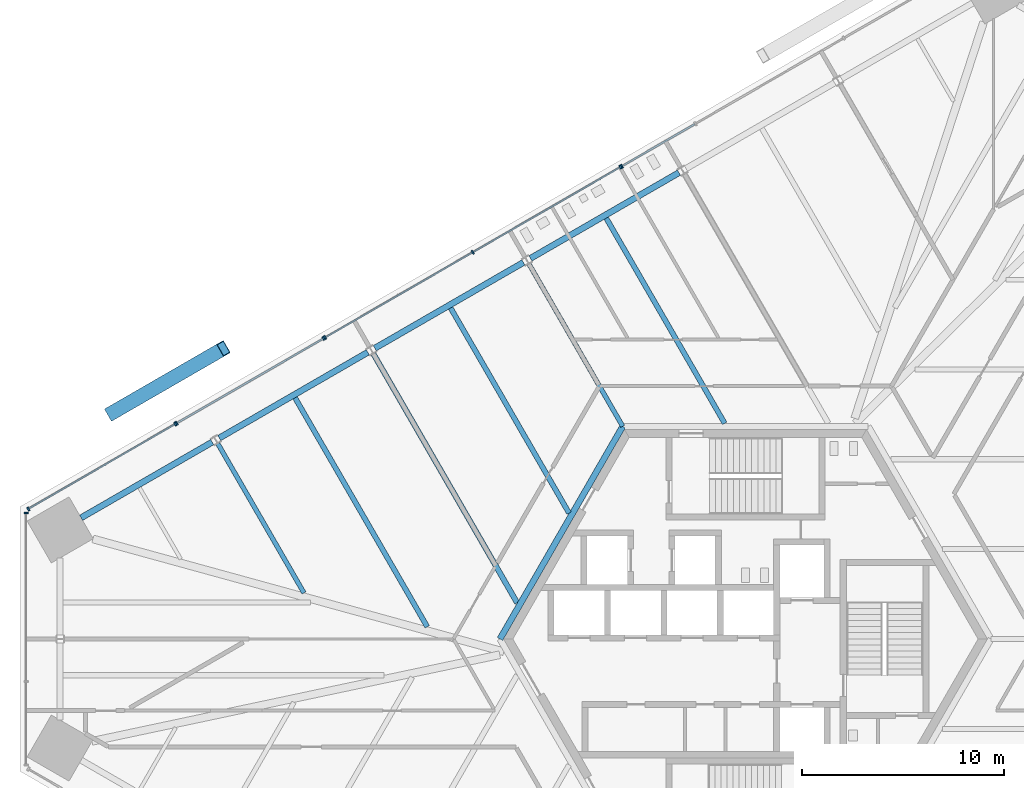
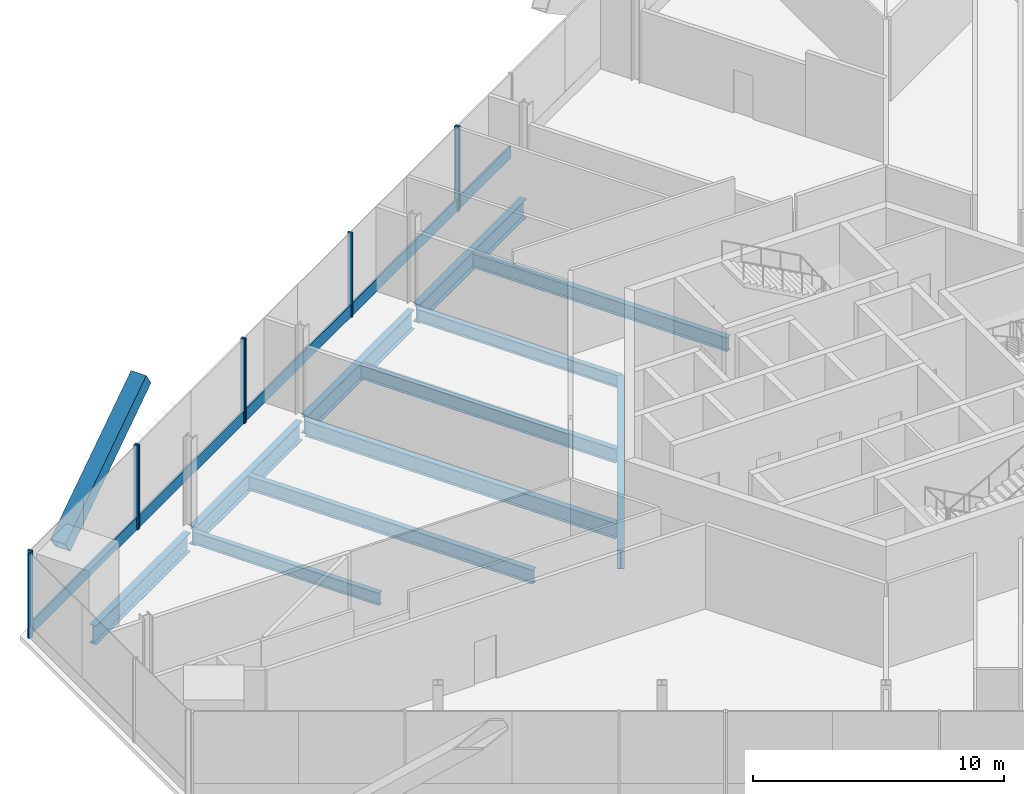
# One storey, part 6 of 16: 15 members, 11 beams, 5 elements without a shape of their own.
"""IFC4 building model written with IfcOpenShell, lengths in metres."""

from ifc_helpers import new_model, si_unit, direction, frame, origin, origin_2d, place, context, subcontext, project, spatial, rectangle, hollow_rectangle, i_section, extrude, source, transform, mapped, material, material_profile, profile_set, type_object, element, aggregate, save


model = new_model("IFC4")

# Units and contexts
model_context = context("Model", 3, precision=1e-05, world=origin(), true_north=direction((0.0, 1.0)))
body_context = subcontext(model_context, "Body", "Model", "MODEL_VIEW")
ifc_project = project(units=[si_unit("LENGTHUNIT", "METRE"), si_unit("AREAUNIT", "SQUARE_METRE"), si_unit("VOLUMEUNIT", "CUBIC_METRE"), si_unit("PLANEANGLEUNIT", "RADIAN"), si_unit("MASSUNIT", "GRAM", prefix="KILO")], contexts=[model_context])

# Site, building, storey
site_placement = place(None, origin())
site = spatial("IfcSite", under=ifc_project, at=site_placement, CompositionType="ELEMENT")
building_placement = place(site_placement, origin())
building = spatial("IfcBuilding", under=site, at=building_placement, Name="Triune Harvest Tower", CompositionType="ELEMENT")
storey_placement = place(building_placement, frame((0.0, 0.0, 20.300048828125)))
storey = spatial("IfcBuildingStorey", under=building, at=storey_placement, Name="L04", CompositionType="ELEMENT", Elevation=20.300048828125)

# Beams
ifc_material_1 = material(Name="Steel ASTM A992 Gr 50", Category="steel")
ifc_material_profile_1 = material_profile(ifc_material_1, i_section(OverallWidth=0.3046875, OverallDepth=0.914306640625, WebThickness=0.0166015625, FlangeThickness=0.02587890625, at=origin_2d()), Name="W36x160")
ifc_profile_set_1 = profile_set([ifc_material_profile_1], Name="Steel ASTM A992 Gr 50")
beam_type_1 = type_object("IfcBeamType", Name="CG-1 Core ring girder W36x160", PredefinedType="BEAM", material=ifc_profile_set_1)
shared_shape_1 = source(origin(), body_context, "Body", "SweptSolid", [
    extrude(i_section(OverallWidth=0.3046875, OverallDepth=0.914306640625, WebThickness=0.0166015625, FlangeThickness=0.02587890625, at=origin_2d()), origin(), (0.0, 0.0, 1.0), 12.176025390625),
])
beam_1_placement = place(storey_placement, frame((-6.087890625, 10.544677734375, -0.6572265625), z_axis=(-0.5000099932, -0.866019634131, 0.0), x_axis=(0.866019634131, -0.5000099932, 0.0)))
element("IfcBeam", 1, at=beam_1_placement, inside=storey, type_object=beam_type_1, Name="beam/L04/CG3", PredefinedType="BEAM", context=body_context, shape_type="MappedRepresentation", body=[
    mapped(shared_shape_1, transform((0.0, 0.0, 0.0), scale=1.0)),
])
ifc_material_2 = material(Name="Steel ASTM A992 Gr 50", Category="steel")
ifc_material_profile_2 = material_profile(ifc_material_2, i_section(OverallWidth=0.2666015625, OverallDepth=0.7568359375, WebThickness=0.013916015625, FlangeThickness=0.019287109375, at=origin_2d()), Name="W30x108")
ifc_profile_set_2 = profile_set([ifc_material_profile_2], Name="Steel ASTM A992 Gr 50")
beam_type_2 = type_object("IfcBeamType", Name="JT-5 Floor joist W30x108", PredefinedType="JOIST", material=ifc_profile_set_2)
shared_shape_2 = source(origin(), body_context, "Body", "SweptSolid", [
    extrude(i_section(OverallWidth=0.2666015625, OverallDepth=0.7568359375, WebThickness=0.013916015625, FlangeThickness=0.019287109375, at=origin_2d()), origin(), (0.0, 0.0, 1.0), 14.2685546875),
])
beam_2_placement = place(storey_placement, frame((-18.454345703125, 14.14404296875, -0.57861328125), z_axis=(0.499987083308, -0.866032861112, 0.0), x_axis=(0.866032861112, 0.499987083308, 0.0)))
element("IfcBeam", 2, at=beam_2_placement, inside=storey, type_object=beam_type_2, Name="beam/L04/JT21", PredefinedType="JOIST", context=body_context, shape_type="MappedRepresentation", body=[
    mapped(shared_shape_2, transform((0.0, 0.0, 0.0), scale=1.0)),
])
ifc_material_3 = material(Name="Steel ASTM A992 Gr 50", Category="steel")
ifc_material_profile_3 = material_profile(ifc_material_3, i_section(OverallWidth=0.22900390625, OverallDepth=0.612060546875, WebThickness=0.011962890625, FlangeThickness=0.01953125, at=origin_2d()), Name="W24x84")
ifc_profile_set_3 = profile_set([ifc_material_profile_3], Name="Steel ASTM A992 Gr 50")
beam_type_3 = type_object("IfcBeamType", Name="JT-3 Floor joist W24x84", PredefinedType="JOIST", material=ifc_profile_set_3)
shared_shape_3 = source(origin(), body_context, "Body", "SweptSolid", [
    extrude(i_section(OverallWidth=0.22900390625, OverallDepth=0.612060546875, WebThickness=0.011962890625, FlangeThickness=0.01953125, at=origin_2d()), origin(), (0.0, 0.0, 1.0), 8.54736328125),
])
beam_3_placement = place(storey_placement, frame((-26.170654296875, 9.68896484375, -0.506103515625), z_axis=(0.500006795031, -0.866021480636, 0.0), x_axis=(0.866021480636, 0.500006795031, 0.0)))
element("IfcBeam", 3, at=beam_3_placement, inside=storey, type_object=beam_type_3, Name="beam/L04/JT23", PredefinedType="JOIST", context=body_context, shape_type="MappedRepresentation", body=[
    mapped(shared_shape_3, transform((0.0, 0.0, 0.0), scale=1.0)),
])
shared_shape_4 = source(origin(), body_context, "Body", "SweptSolid", [
    extrude(i_section(OverallWidth=0.22900390625, OverallDepth=0.612060546875, WebThickness=0.011962890625, FlangeThickness=0.01953125, at=origin_2d()), origin(), (0.0, 0.0, 1.0), 9.300537109375),
])
beam_4_placement = place(storey_placement, frame((-10.738037109375, 18.59912109375, -0.506103515625), z_axis=(0.49999285859, -0.86602952684, 0.0), x_axis=(0.86602952684, 0.49999285859, 0.0)))
element("IfcBeam", 4, at=beam_4_placement, inside=storey, type_object=beam_type_3, Name="beam/L04/JT19", PredefinedType="JOIST", context=body_context, shape_type="MappedRepresentation", body=[
    mapped(shared_shape_4, transform((0.0, 0.0, 0.0), scale=1.0)),
])
ifc_material_4 = material(Name="Steel ASTM A992 Gr 50", Category="steel")
ifc_material_profile_4 = material_profile(ifc_material_4, i_section(OverallWidth=0.3046875, OverallDepth=0.914306640625, WebThickness=0.0166015625, FlangeThickness=0.02587890625, at=origin_2d()), Name="W36x160")
ifc_profile_set_4 = profile_set([ifc_material_profile_4], Name="Steel ASTM A992 Gr 50")
beam_type_4 = type_object("IfcBeamType", Name="SB-1 Spandrel beam W36x160", PredefinedType="SPANDREL", material=ifc_profile_set_4)
shared_shape_5 = source(origin(), body_context, "Body", "SweptSolid", [
    extrude(i_section(OverallWidth=0.3046875, OverallDepth=0.914306640625, WebThickness=0.0166015625, FlangeThickness=0.02587890625, at=origin_2d()), origin(), (0.0, 0.0, 1.0), 7.508056640625),
])
beam_5_placement = place(storey_placement, frame((-26.447265625, 9.763916015625, -0.6572265625), z_axis=(-0.866033425553, -0.499986105632, 0.0), x_axis=(0.499986105632, -0.866033425553, 0.0)))
element("IfcBeam", 5, at=beam_5_placement, inside=storey, type_object=beam_type_4, Name="beam/L04/SB14", PredefinedType="SPANDREL", context=body_context, shape_type="MappedRepresentation", body=[
    mapped(shared_shape_5, transform((0.0, 0.0, 0.0), scale=1.0)),
])
shared_shape_6 = source(origin(), body_context, "Body", "SweptSolid", [
    extrude(i_section(OverallWidth=0.3046875, OverallDepth=0.914306640625, WebThickness=0.0166015625, FlangeThickness=0.02587890625, at=origin_2d()), origin(), (0.0, 0.0, 1.0), 8.506103515625),
])
for number, where, z_axis, x_axis, name in (
    (6, (-3.29833984375, 23.12890625, -0.6572265625), (-0.866030246746, -0.49999161165, 0.0), (0.49999161165, -0.866030246746, 0.0), "beam/L04/SB11"),
    (7, (-11.0146484375, 18.674072265625, -0.6572265625), (-0.866017818397, -0.500013138047, 0.0), (0.500013138047, -0.866017818397, 0.0), "beam/L04/SB12"),
    (8, (-18.73095703125, 14.218994140625, -0.6572265625), (-0.866030246746, -0.49999161165, 0.0), (0.49999161165, -0.866030246746, 0.0), "beam/L04/SB13"),
):
    element("IfcBeam", number, at=place(storey_placement, frame(where, z_axis=z_axis, x_axis=x_axis)), inside=storey, type_object=beam_type_4, Name=name, PredefinedType="SPANDREL", context=body_context, shape_type="MappedRepresentation", body=[
        mapped(shared_shape_6, transform((0.0, 0.0, 0.0), scale=1.0)),
    ])
ifc_material_5 = material(Name="Steel ASTM A992 Gr 50", Category="steel")
ifc_material_profile_5 = material_profile(ifc_material_5, i_section(OverallWidth=0.253662109375, OverallDepth=0.683349609375, WebThickness=0.012451171875, FlangeThickness=0.01904296875, at=origin_2d()), Name="W27x94")
ifc_profile_set_5 = profile_set([ifc_material_profile_5], Name="Steel ASTM A992 Gr 50")
beam_type_5 = type_object("IfcBeamType", Name="JT-4 Floor joist W27x94", PredefinedType="JOIST", material=ifc_profile_set_5)
shared_shape_7 = source(origin(), body_context, "Body", "SweptSolid", [
    extrude(i_section(OverallWidth=0.253662109375, OverallDepth=0.683349609375, WebThickness=0.012451171875, FlangeThickness=0.01904296875, at=origin_2d()), origin(), (0.0, 0.0, 1.0), 11.74755859375),
])
beam_6_placement = place(storey_placement, frame((-6.905517578125, 20.87060546875, -0.541748046875), z_axis=(0.500003693016, -0.86602327161, 0.0), x_axis=(0.86602327161, 0.500003693016, 0.0)))
element("IfcBeam", 9, at=beam_6_placement, inside=storey, type_object=beam_type_5, Name="beam/L04/JT18", PredefinedType="JOIST", context=body_context, shape_type="MappedRepresentation", body=[
    mapped(shared_shape_7, transform((0.0, 0.0, 0.0), scale=1.0)),
])
shared_shape_8 = source(origin(), body_context, "Body", "SweptSolid", [
    extrude(i_section(OverallWidth=0.253662109375, OverallDepth=0.683349609375, WebThickness=0.012451171875, FlangeThickness=0.01904296875, at=origin_2d()), origin(), (0.0, 0.0, 1.0), 11.7470703125),
])
beam_7_placement = place(storey_placement, frame((-14.62158203125, 16.41552734375, -0.541748046875), z_axis=(0.49999710518, -0.866027075103, 0.0), x_axis=(0.866027075103, 0.49999710518, 0.0)))
element("IfcBeam", 10, at=beam_7_placement, inside=storey, type_object=beam_type_5, Name="beam/L04/JT20", PredefinedType="JOIST", context=body_context, shape_type="MappedRepresentation", body=[
    mapped(shared_shape_8, transform((0.0, 0.0, 0.0), scale=1.0)),
])
shared_shape_9 = source(origin(), body_context, "Body", "SweptSolid", [
    extrude(i_section(OverallWidth=0.253662109375, OverallDepth=0.683349609375, WebThickness=0.012451171875, FlangeThickness=0.01904296875, at=origin_2d()), origin(), (0.0, 0.0, 1.0), 13.10986328125),
])
beam_8_placement = place(storey_placement, frame((-22.337890625, 11.96044921875, -0.541748046875), z_axis=(0.499998646344, -0.866026185317, 0.0), x_axis=(0.866026185317, 0.499998646344, 0.0)))
element("IfcBeam", 11, at=beam_8_placement, inside=storey, type_object=beam_type_5, Name="beam/L04/JT22", PredefinedType="JOIST", context=body_context, shape_type="MappedRepresentation", body=[
    mapped(shared_shape_9, transform((0.0, 0.0, 0.0), scale=1.0)),
])

# Member
ifc_material_6 = material(Name="Steel ASTM A572 Gr 50", Category="steel")
ifc_material_profile_6 = material_profile(ifc_material_6, hollow_rectangle(XDim=0.699951171875, YDim=0.699951171875, WallThickness=0.0400390625, at=origin_2d()), Name="Box 700x700x40")
ifc_profile_set_6 = profile_set([ifc_material_profile_6], Name="Steel ASTM A572 Gr 50")
member_type_1 = type_object("IfcMemberType", Name="BR-1 Brace Box 700x700x40", PredefinedType="BRACE", material=ifc_profile_set_6)
shared_shape_10 = source(origin(), body_context, "Body", "SweptSolid", [
    extrude(hollow_rectangle(XDim=0.699951171875, YDim=0.699951171875, WallThickness=0.0400390625, at=origin_2d()), origin(), (0.0, 0.0, 1.0), 7.728515625),
])
member_1_placement = place(storey_placement, frame((-31.44921875, 11.197021484375, 0.0), z_axis=(0.719613461056, 0.415436199576, 0.556389459595), x_axis=(-0.499970370671, 0.86604250961, 0.0)))
element("IfcMember", 12, at=member_1_placement, inside=storey, type_object=member_type_1, Name="brace/B1-F3/d2/2", PredefinedType="BRACE", context=body_context, shape_type="MappedRepresentation", body=[
    mapped(shared_shape_10, transform((0.0, 0.0, 0.0), scale=1.0)),
])

# Curtain wall, member
ifc_material_7 = material(Name="Aluminium bronze anodised", Category="aluminium")
curtain_wall_type_1 = type_object("IfcCurtainWallType", Name="CW-8 Farm floor curtain wall with insulated spandrel infill", PredefinedType="NOTDEFINED", material=ifc_material_7)
curtain_wall_1_placement = place(storey_placement, origin())
curtain_wall_1 = element("IfcCurtainWall", 13, at=curtain_wall_1_placement, inside=storey, type_object=curtain_wall_type_1, Name="CW-8 B1-F3 L04 run 1")
ifc_material_8 = material(Name="Aluminium bronze anodised", Category="aluminium")
ifc_material_profile_7 = material_profile(ifc_material_8, rectangle(XDim=0.199951171875, YDim=0.080078125, at=origin_2d()), Name="MU-3 mullion 80 x 200")
ifc_profile_set_7 = profile_set([ifc_material_profile_7], Name="Aluminium bronze anodised")
member_type_2 = type_object("IfcMemberType", Name="MU-3 mullion 80 x 200", PredefinedType="MULLION", material=ifc_profile_set_7)
shared_shape_11 = source(origin(), body_context, "Body", "SweptSolid", [
    extrude(rectangle(XDim=0.199951171875, YDim=0.080078125, at=origin_2d()), origin(), (0.0, 0.0, 1.0), 4.099853515625),
])
member_2_placement = place(storey_placement, frame((-6.1318359375, 23.44677734375, 0.0), z_axis=(0.0, 0.0, 1.0), x_axis=(0.499998768415, -0.866026114839, 0.0)))
member_2 = element("IfcMember", 14, at=member_2_placement, type_object=member_type_2, Name="CW-8 mullion B1-F3 1.6", PredefinedType="MULLION", context=body_context, shape_type="MappedRepresentation", body=[
    mapped(shared_shape_11, transform((0.0, 0.0, 0.0), scale=1.0)),
])

# Curtain wall, members
ifc_material_9 = material(Name="Aluminium bronze anodised", Category="aluminium")
curtain_wall_type_2 = type_object("IfcCurtainWallType", Name="CW-3 Farm floor curtain wall", PredefinedType="NOTDEFINED", material=ifc_material_9)
curtain_wall_2_placement = place(storey_placement, origin())
curtain_wall_2 = element("IfcCurtainWall", 15, at=curtain_wall_2_placement, inside=storey, type_object=curtain_wall_type_2, Name="CW-3 B1-F3 L04 run 1001")
member_3_placement = place(storey_placement, frame((-6.200927734375, 23.40673828125, 0.0), z_axis=(0.0, 0.0, 1.0), x_axis=(0.500000044272, -0.866025378224, 0.0)))
member_3 = element("IfcMember", 16, at=member_3_placement, type_object=member_type_2, Name="CW-3 mullion B1-F3 1001.1", PredefinedType="MULLION", context=body_context, shape_type="MappedRepresentation", body=[
    mapped(shared_shape_11, transform((0.0, 0.0, 0.0), scale=1.0)),
])
member_4_placement = place(storey_placement, frame((-13.525390625, 19.177978515625, 0.0), z_axis=(0.0, 0.0, 1.0), x_axis=(0.500000044272, -0.866025378224, 0.0)))
member_4 = element("IfcMember", 17, at=member_4_placement, type_object=member_type_2, Name="CW-3 mullion B1-F3 1001.3", PredefinedType="MULLION", context=body_context, shape_type="MappedRepresentation", body=[
    mapped(shared_shape_11, transform((0.0, 0.0, 0.0), scale=1.0)),
])
member_5_placement = place(storey_placement, frame((-20.849853515625, 14.94921875, 0.0), z_axis=(0.0, 0.0, 1.0), x_axis=(0.500000044272, -0.866025378224, 0.0)))
member_5 = element("IfcMember", 18, at=member_5_placement, type_object=member_type_2, Name="CW-3 mullion B1-F3 1001.5", PredefinedType="MULLION", context=body_context, shape_type="MappedRepresentation", body=[
    mapped(shared_shape_11, transform((0.0, 0.0, 0.0), scale=1.0)),
])

curtain_wall_3_placement = place(storey_placement, origin())
curtain_wall_3 = element("IfcCurtainWall", 19, at=curtain_wall_3_placement, inside=storey, type_object=curtain_wall_type_1, Name="CW-8 B1-F3 L04 run 2001")
member_6_placement = place(storey_placement, frame((-20.919189453125, 14.9091796875, 0.0), z_axis=(0.0, 0.0, 1.0), x_axis=(0.500007005209, -0.866021359287, 0.0)))
member_6 = element("IfcMember", 20, at=member_6_placement, type_object=member_type_2, Name="CW-8 mullion B1-F3 2001.1", PredefinedType="MULLION", context=body_context, shape_type="MappedRepresentation", body=[
    mapped(shared_shape_11, transform((0.0, 0.0, 0.0), scale=1.0)),
])
member_7_placement = place(storey_placement, frame((-28.208740234375, 10.700439453125, 0.0), z_axis=(0.0, 0.0, 1.0), x_axis=(0.500007005209, -0.866021359287, 0.0)))
member_7 = element("IfcMember", 21, at=member_7_placement, type_object=member_type_2, Name="CW-8 mullion B1-F3 2001.3", PredefinedType="MULLION", context=body_context, shape_type="MappedRepresentation", body=[
    mapped(shared_shape_11, transform((0.0, 0.0, 0.0), scale=1.0)),
])

curtain_wall_4_placement = place(storey_placement, origin())
curtain_wall_4 = element("IfcCurtainWall", 22, at=curtain_wall_4_placement, inside=storey, type_object=curtain_wall_type_2, Name="CW-3 B1-F3 L04 run 3001")
member_8_placement = place(storey_placement, frame((-28.278076171875, 10.660400390625, 0.0), z_axis=(0.0, 0.0, 1.0), x_axis=(0.499995239328, -0.866028152342, 0.0)))
member_8 = element("IfcMember", 23, at=member_8_placement, type_object=member_type_2, Name="CW-3 mullion B1-F3 3001.1", PredefinedType="MULLION", context=body_context, shape_type="MappedRepresentation", body=[
    mapped(shared_shape_11, transform((0.0, 0.0, 0.0), scale=1.0)),
])
member_9_placement = place(storey_placement, frame((-35.56787109375, 6.451904296875, 0.0), z_axis=(0.0, 0.0, 1.0), x_axis=(0.499995239328, -0.866028152342, 0.0)))
member_9 = element("IfcMember", 24, at=member_9_placement, type_object=member_type_2, Name="CW-3 mullion B1-F3 3001.3", PredefinedType="MULLION", context=body_context, shape_type="MappedRepresentation", body=[
    mapped(shared_shape_11, transform((0.0, 0.0, 0.0), scale=1.0)),
])

# Curtain wall, member
curtain_wall_5_placement = place(storey_placement, origin())
curtain_wall_5 = element("IfcCurtainWall", 25, at=curtain_wall_5_placement, inside=storey, type_object=curtain_wall_type_2, Name="CW-3 B1-F4 L04 run 1")
member_10_placement = place(storey_placement, frame((-35.680419921875, 6.2568359375, 0.0), z_axis=(0.0, 0.0, 1.0), x_axis=(1.0, 0.0, 0.0)))
member_10 = element("IfcMember", 26, at=member_10_placement, type_object=member_type_2, Name="CW-3 mullion B1-F4 1.1", PredefinedType="MULLION", context=body_context, shape_type="MappedRepresentation", body=[
    mapped(shared_shape_11, transform((0.0, 0.0, 0.0), scale=1.0)),
])
aggregate(curtain_wall_5, [member_10])

# Member
ifc_material_10 = material(Name="Aluminium bronze anodised", Category="aluminium")
ifc_material_profile_8 = material_profile(ifc_material_10, rectangle(XDim=0.090087890625, YDim=0.60009765625, at=origin_2d()), Name="TR-3 transom 90 x 600")
ifc_profile_set_8 = profile_set([ifc_material_profile_8], Name="Aluminium bronze anodised")
member_type_3 = type_object("IfcMemberType", Name="TR-3 transom 90 x 600", PredefinedType="USERDEFINED", material=ifc_profile_set_8)
shared_shape_12 = source(origin(), body_context, "Body", "SweptSolid", [
    extrude(rectangle(XDim=0.090087890625, YDim=0.60009765625, at=origin_2d()), origin(), (0.0, 0.0, 1.0), 8.37744140625),
])
member_11_placement = place(storey_placement, frame((-6.235595703125, 23.38671875, 0.300048828125), z_axis=(-0.866026892193, -0.499997421992, 0.0), x_axis=(0.499997421992, -0.866026892193, 0.0)))
member_11 = element("IfcMember", 27, at=member_11_placement, type_object=member_type_3, Name="CW-3 transom B1-F3 1001.1", ObjectType="TRANSOM", PredefinedType="USERDEFINED", context=body_context, shape_type="MappedRepresentation", body=[
    mapped(shared_shape_12, transform((0.0, 0.0, 0.0), scale=1.0)),
])

member_12_placement = place(storey_placement, frame((-13.56005859375, 19.157958984375, 0.300048828125), z_axis=(-0.866026892193, -0.499997421992, 0.0), x_axis=(0.499997421992, -0.866026892193, 0.0)))
member_12 = element("IfcMember", 28, at=member_12_placement, type_object=member_type_3, Name="CW-3 transom B1-F3 1001.2", ObjectType="TRANSOM", PredefinedType="USERDEFINED", context=body_context, shape_type="MappedRepresentation", body=[
    mapped(shared_shape_12, transform((0.0, 0.0, 0.0), scale=1.0)),
])

aggregate(curtain_wall_2, [member_3, member_4, member_5, member_11, member_12])

shared_shape_13 = source(origin(), body_context, "Body", "SweptSolid", [
    extrude(rectangle(XDim=0.090087890625, YDim=0.60009765625, at=origin_2d()), origin(), (0.0, 0.0, 1.0), 4.12890625),
])
member_13_placement = place(storey_placement, frame((-2.521484375, 25.53125, 0.300048828125), z_axis=(-0.866022127522, -0.500005674609, 0.0), x_axis=(0.500005674609, -0.866022127522, 0.0)))
member_13 = element("IfcMember", 29, at=member_13_placement, type_object=member_type_3, Name="CW-8 transom B1-F3 1.3", ObjectType="TRANSOM", PredefinedType="USERDEFINED", context=body_context, shape_type="MappedRepresentation", body=[
    mapped(shared_shape_13, transform((0.0, 0.0, 0.0), scale=1.0)),
])

aggregate(curtain_wall_1, [member_2, member_13])

shared_shape_14 = source(origin(), body_context, "Body", "SweptSolid", [
    extrude(rectangle(XDim=0.090087890625, YDim=0.60009765625, at=origin_2d()), origin(), (0.0, 0.0, 1.0), 8.337646484375),
])
member_14_placement = place(storey_placement, frame((-20.953857421875, 14.889404296875, 0.300048828125), z_axis=(-0.866014425836, -0.500019013882, 0.0), x_axis=(0.500019013882, -0.866014425836, 0.0)))
member_14 = element("IfcMember", 30, at=member_14_placement, type_object=member_type_3, Name="CW-8 transom B1-F3 2001.1", ObjectType="TRANSOM", PredefinedType="USERDEFINED", context=body_context, shape_type="MappedRepresentation", body=[
    mapped(shared_shape_14, transform((0.0, 0.0, 0.0), scale=1.0)),
])

aggregate(curtain_wall_3, [member_6, member_7, member_14])

shared_shape_15 = source(origin(), body_context, "Body", "SweptSolid", [
    extrude(rectangle(XDim=0.090087890625, YDim=0.60009765625, at=origin_2d()), origin(), (0.0, 0.0, 1.0), 8.33740234375),
])
member_15_placement = place(storey_placement, frame((-28.312744140625, 10.640380859375, 0.300048828125), z_axis=(-0.866027105532, -0.499997052475, 0.0), x_axis=(0.499997052475, -0.866027105532, 0.0)))
member_15 = element("IfcMember", 31, at=member_15_placement, type_object=member_type_3, Name="CW-3 transom B1-F3 3001.1", ObjectType="TRANSOM", PredefinedType="USERDEFINED", context=body_context, shape_type="MappedRepresentation", body=[
    mapped(shared_shape_15, transform((0.0, 0.0, 0.0), scale=1.0)),
])

aggregate(curtain_wall_4, [member_8, member_9, member_15])

save(model, "model.ifc")
